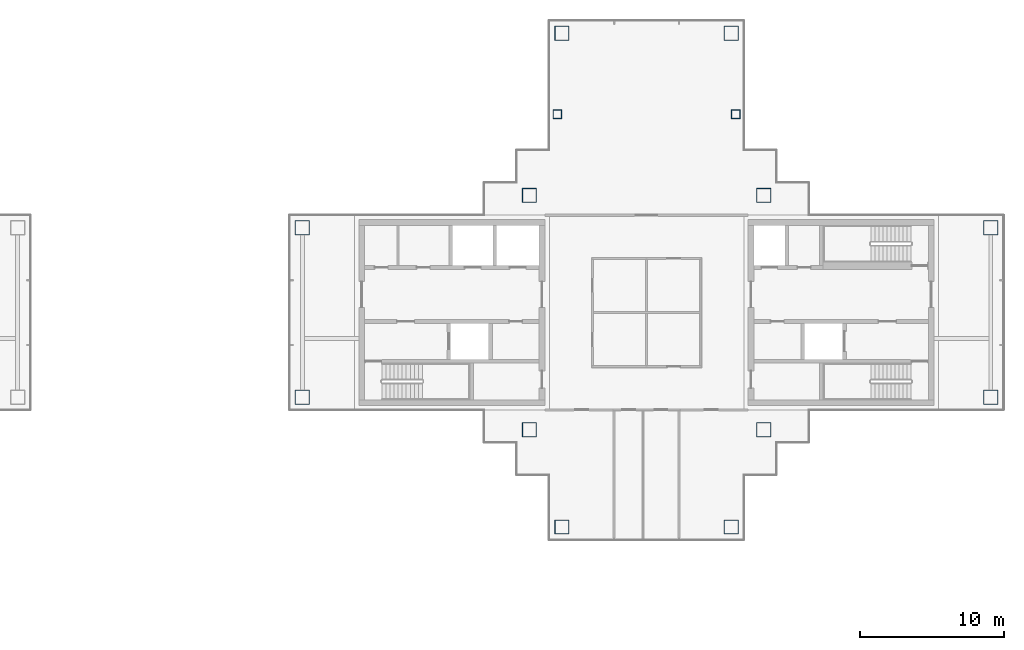
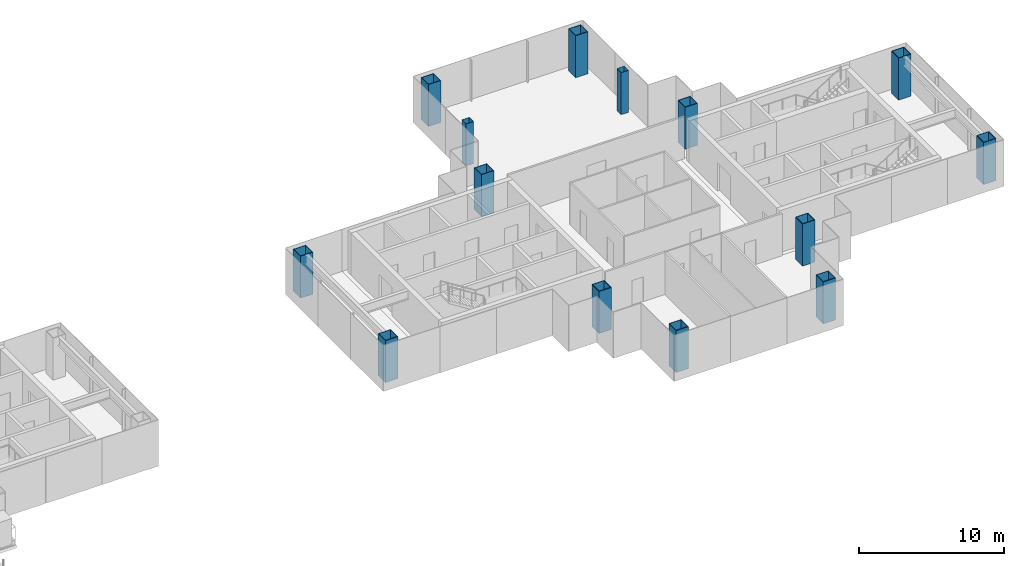
# One storey, part 2 of 15: 14 columns.
"""IFC4 building model written with IfcOpenShell, lengths in metres."""

from ifc_helpers import new_model, si_unit, direction, frame, origin, origin_2d, place, context, subcontext, project, spatial, hollow_rectangle, extrude, material, material_profile, profile_set, type_object, element, save


model = new_model("IFC4")

# Units and contexts
model_context = context("Model", 3, precision=1e-05, world=origin(), true_north=direction((0.0, 1.0)))
body_context = subcontext(model_context, "Body", "Model", "MODEL_VIEW")
ifc_project = project(units=[si_unit("LENGTHUNIT", "METRE"), si_unit("AREAUNIT", "SQUARE_METRE"), si_unit("VOLUMEUNIT", "CUBIC_METRE"), si_unit("PLANEANGLEUNIT", "RADIAN"), si_unit("MASSUNIT", "GRAM", prefix="KILO")], contexts=[model_context])

# Site, building, storey
site_placement = place(None, origin())
site = spatial("IfcSite", under=ifc_project, at=site_placement, CompositionType="ELEMENT")
building_placement = place(site_placement, origin())
building = spatial("IfcBuilding", under=site, at=building_placement, Name="Shamsa Quay Exchange Towers", CompositionType="ELEMENT")
storey_placement = place(building_placement, frame((0.0, 0.0, 202.199951171875)))
storey = spatial("IfcBuildingStorey", under=building, at=storey_placement, Name="L48", CompositionType="ELEMENT", Elevation=202.199951171875)

# Columns
ifc_material_1 = material(Name="Concrete-filled steel tube S355 / C80/95", Category="concrete")
ifc_material_profile_1 = material_profile(ifc_material_1, hollow_rectangle(XDim=1.0, YDim=1.0, WallThickness=0.0400390625, at=origin_2d()), Name="CFT 1000x1000x40")
ifc_profile_set_1 = profile_set([ifc_material_profile_1], Name="Concrete-filled steel tube S355 / C80/95")
column_type_1 = type_object("IfcColumnType", Name="Column CFT 1000x1000x40", PredefinedType="COLUMN", material=ifc_profile_set_1)
for number, where, name in (
    (1, (25.625, 8.125, 0.0), "Mega column T2-CM01"),
    (2, (41.875, 8.125, 0.0), "Mega column T2-CM02"),
    (3, (25.625, -8.125, 0.0), "Mega column T2-CM03"),
    (4, (41.875, -8.125, 0.0), "Mega column T2-CM04"),
    (5, (39.625, 19.375, 0.0), "Mega column T2-CM06"),
    (6, (27.875, 19.375, 0.0), "Mega column T2-CM10"),
    (7, (39.625, -14.875, 0.0), "Mega column T2-CM13"),
    (8, (27.875, -14.875, 0.0), "Mega column T2-CM16"),
    (9, (9.875, -5.875, 0.0), "Mega column T2-CM19"),
    (10, (9.875, 5.875, 0.0), "Mega column T2-CM20"),
    (11, (57.625, -5.875, 0.0), "Mega column T2-CM21"),
    (12, (57.625, 5.875, 0.0), "Mega column T2-CM23"),
):
    element("IfcColumn", number, at=place(storey_placement, frame(where)), inside=storey, type_object=column_type_1, Name=name, PredefinedType="COLUMN", context=body_context, shape_type="SweptSolid", body=[
        extrude(hollow_rectangle(XDim=1.0, YDim=1.0, WallThickness=0.0400390625, at=origin_2d()), origin(), (0.0, 0.0, 1.0), 3.550048828125),
    ])
ifc_material_2 = material(Name="Concrete-filled steel tube S355 / C60/75", Category="concrete")
ifc_material_profile_2 = material_profile(ifc_material_2, hollow_rectangle(XDim=0.60009765625, YDim=0.60009765625, WallThickness=0.02001953125, at=origin_2d()), Name="CFT 600x600x20")
ifc_profile_set_2 = profile_set([ifc_material_profile_2], Name="Concrete-filled steel tube S355 / C60/75")
column_type_2 = type_object("IfcColumnType", Name="Column CFT 600x600x20", PredefinedType="COLUMN", material=ifc_profile_set_2)
for number, where, name in (
    (13, (39.9375, 13.75, 0.0), "Perimeter column T2-CP05"),
    (14, (27.5625, 13.75, 0.0), "Perimeter column T2-CP09"),
):
    element("IfcColumn", number, at=place(storey_placement, frame(where)), inside=storey, type_object=column_type_2, Name=name, PredefinedType="COLUMN", context=body_context, shape_type="SweptSolid", body=[
        extrude(hollow_rectangle(XDim=0.60009765625, YDim=0.60009765625, WallThickness=0.02001953125, at=origin_2d()), origin(), (0.0, 0.0, 1.0), 3.550048828125),
    ])

save(model, "model.ifc")
